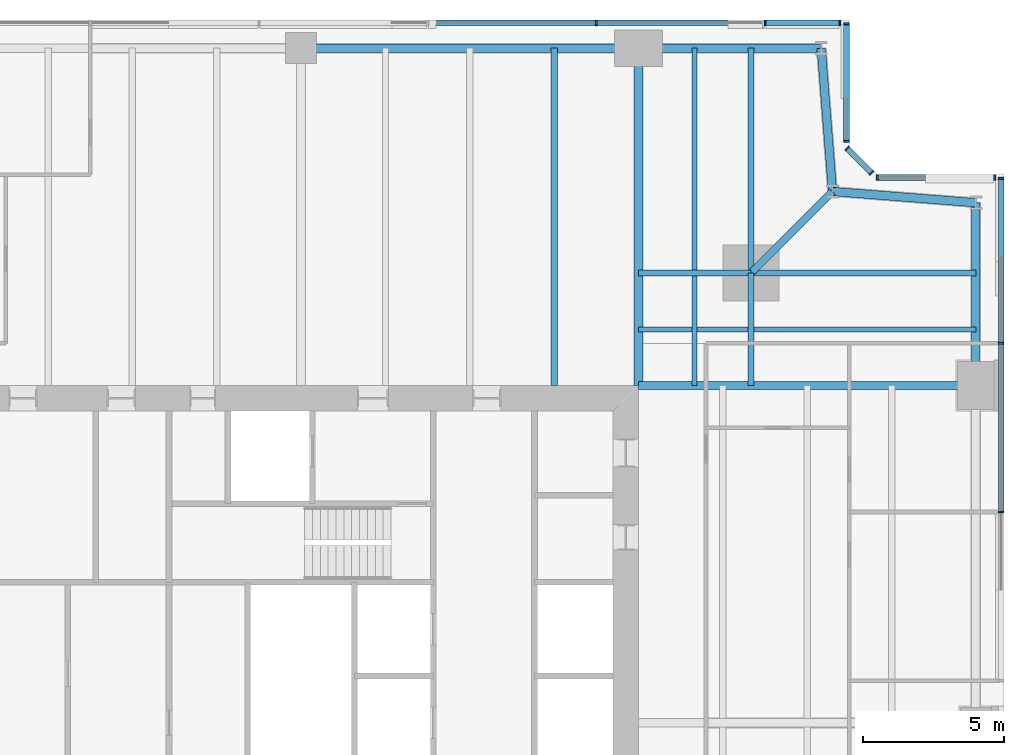
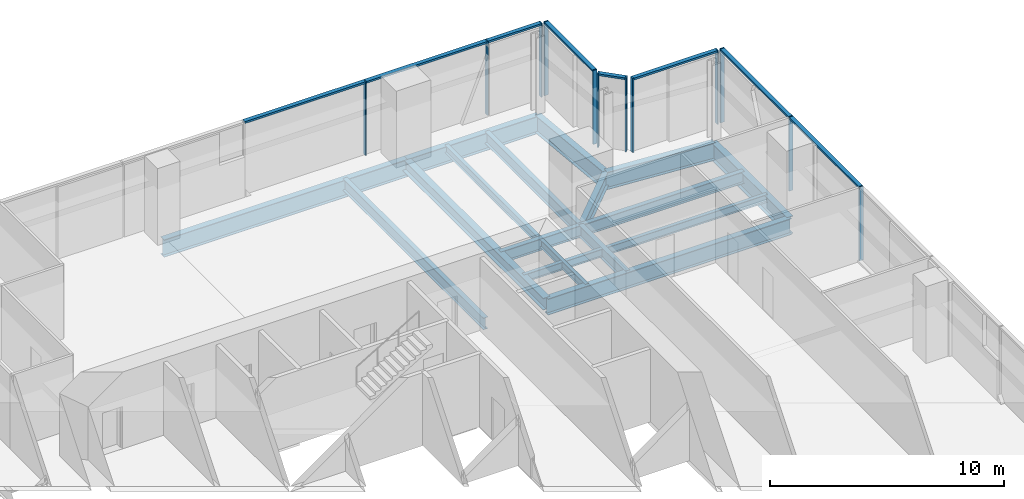
# One storey, part 7 of 16: 20 members, 18 beams, 5 elements without a shape of their own.
"""IFC4 building model written with IfcOpenShell, lengths in metres."""

from ifc_helpers import new_model, si_unit, direction, frame, origin, origin_2d, place, context, subcontext, project, spatial, rectangle, i_section, extrude, material, material_profile, profile_set, type_object, element, aggregate, save


model = new_model("IFC4")

# Units and contexts
model_context = context("Model", 3, precision=1e-05, world=origin(), true_north=direction((0.0, 1.0)))
body_context = subcontext(model_context, "Body", "Model", "MODEL_VIEW")
ifc_project = project(units=[si_unit("LENGTHUNIT", "METRE"), si_unit("AREAUNIT", "SQUARE_METRE"), si_unit("VOLUMEUNIT", "CUBIC_METRE"), si_unit("PLANEANGLEUNIT", "RADIAN"), si_unit("MASSUNIT", "GRAM", prefix="KILO")], contexts=[model_context])

# Site, building, storey
site_placement = place(None, origin())
site = spatial("IfcSite", under=ifc_project, at=site_placement, CompositionType="ELEMENT")
building_placement = place(site_placement, origin())
building = spatial("IfcBuilding", under=site, at=building_placement, Name="Fenwick Lantern Interchange", CompositionType="ELEMENT")
storey_placement = place(building_placement, frame((0.0, 0.0, 213.800048828125)))
storey = spatial("IfcBuildingStorey", under=building, at=storey_placement, Name="L50", CompositionType="ELEMENT", Elevation=213.800048828125)

# Beams
ifc_material_1 = material(Name="Steel ASTM A992 Grade 50", Category="steel")
ifc_material_profile_1 = material_profile(ifc_material_1, i_section(OverallWidth=0.3046875, OverallDepth=0.911865234375, WebThickness=0.015869140625, FlangeThickness=0.02392578125, at=origin_2d()), Name="W36X150")
ifc_profile_set_1 = profile_set([ifc_material_profile_1], Name="Steel ASTM A992 Grade 50")
beam_type_1 = type_object("IfcBeamType", Name="EDGE BEAM W36X150", PredefinedType="SPANDREL", material=ifc_profile_set_1)
beam_1_placement = place(storey_placement, frame((49.0, 37.0, -0.60595703125), z_axis=(0.0, 1.0, 0.0), x_axis=(-1.0, 0.0, 0.0)))
element("IfcBeam", 1, at=beam_1_placement, inside=storey, type_object=beam_type_1, Name="L50/FR/E/EB4", PredefinedType="SPANDREL", context=body_context, shape_type="SweptSolid", body=[
    extrude(i_section(OverallWidth=0.3046875, OverallDepth=0.911865234375, WebThickness=0.015869140625, FlangeThickness=0.02392578125, at=origin_2d()), origin(), (0.0, 0.0, 1.0), 6.5),
])
for number, where, z_axis, x_axis, name in (
    (2, (49.0, 43.5, -0.60595703125), (-0.99693998236, 0.078170784639, 0.0), (-0.078170784639, -0.99693998236, 0.0), "L50/FR/E/EBR1"),
    (3, (43.89990234375, 43.89990234375, -0.60595703125), (-0.078170784639, 0.99693998236, 0.0), (-0.99693998236, -0.078170784639, 0.0), "L50/FR/E/EBR2"),
):
    element("IfcBeam", number, at=place(storey_placement, frame(where, z_axis=z_axis, x_axis=x_axis)), inside=storey, type_object=beam_type_1, Name=name, PredefinedType="SPANDREL", context=body_context, shape_type="SweptSolid", body=[
        extrude(i_section(OverallWidth=0.3046875, OverallDepth=0.911865234375, WebThickness=0.015869140625, FlangeThickness=0.02392578125, at=origin_2d()), origin(), (0.0, 0.0, 1.0), 5.11572265625),
    ])
beam_2_placement = place(storey_placement, frame((43.5, 49.0, -0.60595703125), z_axis=(-1.0, 0.0, 0.0), x_axis=(0.0, -1.0, 0.0)))
element("IfcBeam", 4, at=beam_2_placement, inside=storey, type_object=beam_type_1, Name="L50/FR/N/EB1", PredefinedType="SPANDREL", context=body_context, shape_type="SweptSolid", body=[
    extrude(i_section(OverallWidth=0.3046875, OverallDepth=0.911865234375, WebThickness=0.015869140625, FlangeThickness=0.02392578125, at=origin_2d()), origin(), (0.0, 0.0, 1.0), 6.5),
])
beam_3_placement = place(storey_placement, frame((37.0, 49.0, -0.60595703125), z_axis=(-1.0, 0.0, 0.0), x_axis=(0.0, -1.0, 0.0)))
element("IfcBeam", 5, at=beam_3_placement, inside=storey, type_object=beam_type_1, Name="L50/FR/N/EB2", PredefinedType="SPANDREL", context=body_context, shape_type="SweptSolid", body=[
    extrude(i_section(OverallWidth=0.3046875, OverallDepth=0.911865234375, WebThickness=0.015869140625, FlangeThickness=0.02392578125, at=origin_2d()), origin(), (0.0, 0.0, 1.0), 12.0),
])
ifc_material_profile_2 = material_profile(ifc_material_1, i_section(OverallWidth=0.22900390625, OverallDepth=0.612060546875, WebThickness=0.011962890625, FlangeThickness=0.01953125, at=origin_2d()), Name="W24X84")
ifc_profile_set_2 = profile_set([ifc_material_profile_2], Name="Steel ASTM A992 Grade 50")
beam_type_2 = type_object("IfcBeamType", Name="FLOOR BEAM W24X84", PredefinedType="BEAM", material=ifc_profile_set_2)
beam_4_placement = place(storey_placement, frame((34.0, 49.0, -0.4560546875), z_axis=(0.0, -1.0, 0.0), x_axis=(1.0, 0.0, 0.0)))
element("IfcBeam", 6, at=beam_4_placement, inside=storey, type_object=beam_type_2, Name="L50/FR/N/R02", PredefinedType="BEAM", context=body_context, shape_type="SweptSolid", body=[
    extrude(i_section(OverallWidth=0.22900390625, OverallDepth=0.612060546875, WebThickness=0.011962890625, FlangeThickness=0.01953125, at=origin_2d()), origin(), (0.0, 0.0, 1.0), 12.0),
])
ifc_material_profile_3 = material_profile(ifc_material_1, i_section(OverallWidth=0.177734375, OverallDepth=0.406494140625, WebThickness=0.0078125, FlangeThickness=0.012939453125, at=origin_2d()), Name="W16X40")
ifc_profile_set_3 = profile_set([ifc_material_profile_3], Name="Steel ASTM A992 Grade 50")
beam_type_3 = type_object("IfcBeamType", Name="INFILL BEAM W16X40", PredefinedType="JOIST", material=ifc_profile_set_3)
beam_5_placement = place(storey_placement, frame((39.0, 49.0, -0.353271484375), z_axis=(0.0, -1.0, 0.0), x_axis=(1.0, 0.0, 0.0)))
element("IfcBeam", 7, at=beam_5_placement, inside=storey, type_object=beam_type_3, Name="L50/FR/N/J1", PredefinedType="JOIST", context=body_context, shape_type="SweptSolid", body=[
    extrude(i_section(OverallWidth=0.177734375, OverallDepth=0.406494140625, WebThickness=0.0078125, FlangeThickness=0.012939453125, at=origin_2d()), origin(), (0.0, 0.0, 1.0), 7.885498046875),
])
beam_6_placement = place(storey_placement, frame((39.0, 40.885498046875, -0.353271484375), z_axis=(0.0, -1.0, 0.0), x_axis=(1.0, 0.0, 0.0)))
element("IfcBeam", 8, at=beam_6_placement, inside=storey, type_object=beam_type_3, Name="L50/FR/N/J2", PredefinedType="JOIST", context=body_context, shape_type="SweptSolid", body=[
    extrude(i_section(OverallWidth=0.177734375, OverallDepth=0.406494140625, WebThickness=0.0078125, FlangeThickness=0.012939453125, at=origin_2d()), origin(), (0.0, 0.0, 1.0), 3.885498046875),
])
beam_7_placement = place(storey_placement, frame((49.0, 39.0, -0.353271484375), z_axis=(-1.0, 0.0, 0.0), x_axis=(0.0, -1.0, 0.0)))
element("IfcBeam", 9, at=beam_7_placement, inside=storey, type_object=beam_type_3, Name="L50/FR/N/J3", PredefinedType="JOIST", context=body_context, shape_type="SweptSolid", body=[
    extrude(i_section(OverallWidth=0.177734375, OverallDepth=0.406494140625, WebThickness=0.0078125, FlangeThickness=0.012939453125, at=origin_2d()), origin(), (0.0, 0.0, 1.0), 7.885498046875),
])
beam_8_placement = place(storey_placement, frame((40.885498046875, 39.0, -0.353271484375), z_axis=(-1.0, 0.0, 0.0), x_axis=(0.0, -1.0, 0.0)))
element("IfcBeam", 10, at=beam_8_placement, inside=storey, type_object=beam_type_3, Name="L50/FR/N/J4", PredefinedType="JOIST", context=body_context, shape_type="SweptSolid", body=[
    extrude(i_section(OverallWidth=0.177734375, OverallDepth=0.406494140625, WebThickness=0.0078125, FlangeThickness=0.012939453125, at=origin_2d()), origin(), (0.0, 0.0, 1.0), 1.796630859375),
])
beam_9_placement = place(storey_placement, frame((38.9111328125, 39.0, -0.353271484375), z_axis=(-1.0, 0.0, 0.0), x_axis=(0.0, -1.0, 0.0)))
element("IfcBeam", 11, at=beam_9_placement, inside=storey, type_object=beam_type_3, Name="L50/FR/N/J5", PredefinedType="JOIST", context=body_context, shape_type="SweptSolid", body=[
    extrude(i_section(OverallWidth=0.177734375, OverallDepth=0.406494140625, WebThickness=0.0078125, FlangeThickness=0.012939453125, at=origin_2d()), origin(), (0.0, 0.0, 1.0), 1.9111328125),
])
ifc_material_profile_4 = material_profile(ifc_material_1, i_section(OverallWidth=0.22900390625, OverallDepth=0.612060546875, WebThickness=0.011962890625, FlangeThickness=0.01953125, at=origin_2d()), Name="W24X84")
ifc_profile_set_4 = profile_set([ifc_material_profile_4], Name="Steel ASTM A992 Grade 50")
beam_type_4 = type_object("IfcBeamType", Name="MEGA COLUMN BEAM W24X84", PredefinedType="BEAM", material=ifc_profile_set_4)
for number, where, z_axis, x_axis, name in (
    (12, (41.0, 41.0, -0.4560546875), (0.0, 1.0, 0.0), (-1.0, 0.0, 0.0), "L50/FR/N/MB1"),
    (13, (41.0, 41.0, -0.4560546875), (1.0, 0.0, 0.0), (0.0, 1.0, 0.0), "L50/FR/N/MB2"),
):
    element("IfcBeam", number, at=place(storey_placement, frame(where, z_axis=z_axis, x_axis=x_axis)), inside=storey, type_object=beam_type_4, Name=name, PredefinedType="BEAM", context=body_context, shape_type="SweptSolid", body=[
        extrude(i_section(OverallWidth=0.22900390625, OverallDepth=0.612060546875, WebThickness=0.011962890625, FlangeThickness=0.01953125, at=origin_2d()), origin(), (0.0, 0.0, 1.0), 8.0),
    ])
for number, where, z_axis, x_axis, name in (
    (14, (41.0, 41.0, -0.4560546875), (-1.0, 0.0, 0.0), (0.0, -1.0, 0.0), "L50/FR/N/MB3"),
    (15, (41.0, 41.0, -0.4560546875), (0.0, -1.0, 0.0), (1.0, 0.0, 0.0), "L50/FR/N/MB4"),
):
    element("IfcBeam", number, at=place(storey_placement, frame(where, z_axis=z_axis, x_axis=x_axis)), inside=storey, type_object=beam_type_4, Name=name, PredefinedType="BEAM", context=body_context, shape_type="SweptSolid", body=[
        extrude(i_section(OverallWidth=0.22900390625, OverallDepth=0.612060546875, WebThickness=0.011962890625, FlangeThickness=0.01953125, at=origin_2d()), origin(), (0.0, 0.0, 1.0), 4.0),
    ])
ifc_material_profile_5 = material_profile(ifc_material_1, i_section(OverallWidth=0.32763671875, OverallDepth=0.622314453125, WebThickness=0.015380859375, FlangeThickness=0.0244140625, at=origin_2d()), Name="W24X131")
ifc_profile_set_5 = profile_set([ifc_material_profile_5], Name="Steel ASTM A992 Grade 50")
beam_type_5 = type_object("IfcBeamType", Name="MOMENT-CONNECTED GIRDER W24X131", PredefinedType="BEAM", material=ifc_profile_set_5)
beam_10_placement = place(storey_placement, frame((37.0, 49.0, -0.461181640625), z_axis=(0.0, -1.0, 0.0), x_axis=(1.0, 0.0, 0.0)))
element("IfcBeam", 16, at=beam_10_placement, inside=storey, type_object=beam_type_5, Name="L50/FR/N/R01", PredefinedType="BEAM", context=body_context, shape_type="SweptSolid", body=[
    extrude(i_section(OverallWidth=0.32763671875, OverallDepth=0.622314453125, WebThickness=0.015380859375, FlangeThickness=0.0244140625, at=origin_2d()), origin(), (0.0, 0.0, 1.0), 12.0),
])
ifc_material_profile_6 = material_profile(ifc_material_1, i_section(OverallWidth=0.2919921875, OverallDepth=0.845703125, WebThickness=0.015380859375, FlangeThickness=0.0244140625, at=origin_2d()), Name="W33X141")
ifc_profile_set_6 = profile_set([ifc_material_profile_6], Name="Steel ASTM A992 Grade 50")
beam_type_6 = type_object("IfcBeamType", Name="MOMENT-CONNECTED GIRDER W33X141", PredefinedType="BEAM", material=ifc_profile_set_6)
beam_11_placement = place(storey_placement, frame((49.0, 37.0, -0.572998046875), z_axis=(-1.0, 0.0, 0.0), x_axis=(0.0, -1.0, 0.0)))
element("IfcBeam", 17, at=beam_11_placement, inside=storey, type_object=beam_type_6, Name="L50/FR/E/R03", PredefinedType="BEAM", context=body_context, shape_type="SweptSolid", body=[
    extrude(i_section(OverallWidth=0.2919921875, OverallDepth=0.845703125, WebThickness=0.015380859375, FlangeThickness=0.0244140625, at=origin_2d()), origin(), (0.0, 0.0, 1.0), 12.0),
])
ifc_material_profile_7 = material_profile(ifc_material_1, i_section(OverallWidth=0.2666015625, OverallDepth=0.7568359375, WebThickness=0.013916015625, FlangeThickness=0.019287109375, at=origin_2d()), Name="W30X108")
ifc_profile_set_7 = profile_set([ifc_material_profile_7], Name="Steel ASTM A992 Grade 50")
beam_type_7 = type_object("IfcBeamType", Name="NOTCH BEAM W30X108", PredefinedType="BEAM", material=ifc_profile_set_7)
beam_12_placement = place(storey_placement, frame((41.0, 41.0, -0.528564453125), z_axis=(0.707106781187, 0.707106781187, 0.0), x_axis=(-0.707106781187, 0.707106781187, 0.0)))
element("IfcBeam", 18, at=beam_12_placement, inside=storey, type_object=beam_type_7, Name="L50/FR/N/TG", PredefinedType="BEAM", context=body_context, shape_type="SweptSolid", body=[
    extrude(i_section(OverallWidth=0.2666015625, OverallDepth=0.7568359375, WebThickness=0.013916015625, FlangeThickness=0.019287109375, at=origin_2d()), origin(), (0.0, 0.0, 1.0), 4.10107421875),
])

# Curtain wall, members
ifc_material_2 = material(Name="Aluminium curtain wall frame", Category="aluminium")
curtain_wall_type = type_object("IfcCurtainWallType", Name="OFFICE CURTAIN WALL", PredefinedType="USERDEFINED", material=ifc_material_2)
curtain_wall_1_placement = place(storey_placement, origin())
curtain_wall_1 = element("IfcCurtainWall", 19, at=curtain_wall_1_placement, inside=storey, type_object=curtain_wall_type, Name="Office curtain wall 05", ObjectType="OFFICE CURTAIN WALL", PredefinedType="USERDEFINED")
ifc_material_3 = material(Name="Aluminium extrusion", Category="aluminium")
ifc_material_profile_8 = material_profile(ifc_material_3, rectangle(XDim=0.199951171875, YDim=0.06494140625, at=origin_2d()), Name="OFFICE CURTAIN WALL MULLION 65 X 200")
ifc_profile_set_8 = profile_set([ifc_material_profile_8], Name="Aluminium extrusion")
member_type_1 = type_object("IfcMemberType", Name="OFFICE CURTAIN WALL MULLION 65 X 200", PredefinedType="MULLION", material=ifc_profile_set_8)
member_1_placement = place(storey_placement, frame((49.89990234375, 32.5, 0.0), z_axis=(0.0, 0.0, 1.0), x_axis=(-1.0, 0.0, 0.0)))
member_1 = element("IfcMember", 20, at=member_1_placement, type_object=member_type_1, Name="L50/CW/05/M05", PredefinedType="MULLION", context=body_context, shape_type="SweptSolid", body=[
    extrude(rectangle(XDim=0.199951171875, YDim=0.06494140625, at=origin_2d()), origin(), (0.0, 0.0, 1.0), 3.849853515625),
])
member_2_placement = place(storey_placement, frame((49.89990234375, 38.5, 0.0), z_axis=(0.0, 0.0, 1.0), x_axis=(-1.0, 0.0, 0.0)))
member_2 = element("IfcMember", 21, at=member_2_placement, type_object=member_type_1, Name="L50/CW/05/M06", PredefinedType="MULLION", context=body_context, shape_type="SweptSolid", body=[
    extrude(rectangle(XDim=0.199951171875, YDim=0.06494140625, at=origin_2d()), origin(), (0.0, 0.0, 1.0), 3.849853515625),
])
member_3_placement = place(storey_placement, frame((49.89990234375, 44.367431640625, 0.0), z_axis=(0.0, 0.0, 1.0), x_axis=(-1.0, 0.0, 0.0)))
member_3 = element("IfcMember", 22, at=member_3_placement, type_object=member_type_1, Name="L50/CW/05/M07", PredefinedType="MULLION", context=body_context, shape_type="SweptSolid", body=[
    extrude(rectangle(XDim=0.199951171875, YDim=0.06494140625, at=origin_2d()), origin(), (0.0, 0.0, 1.0), 3.849853515625),
])

curtain_wall_2_placement = place(storey_placement, origin())
curtain_wall_2 = element("IfcCurtainWall", 23, at=curtain_wall_2_placement, inside=storey, type_object=curtain_wall_type, Name="Office curtain wall 06", ObjectType="OFFICE CURTAIN WALL", PredefinedType="USERDEFINED")
member_4_placement = place(storey_placement, frame((49.66748046875, 44.39990234375, 0.0), z_axis=(0.0, 0.0, 1.0), x_axis=(0.0, -1.0, 0.0)))
member_4 = element("IfcMember", 24, at=member_4_placement, type_object=member_type_1, Name="L50/CW/06/M00", PredefinedType="MULLION", context=body_context, shape_type="SweptSolid", body=[
    extrude(rectangle(XDim=0.199951171875, YDim=0.06494140625, at=origin_2d()), origin(), (0.0, 0.0, 1.0), 3.849853515625),
])
member_5_placement = place(storey_placement, frame((45.490966796875, 44.39990234375, 0.0), z_axis=(0.0, 0.0, 1.0), x_axis=(0.0, -1.0, 0.0)))
member_5 = element("IfcMember", 25, at=member_5_placement, type_object=member_type_1, Name="L50/CW/06/M01", PredefinedType="MULLION", context=body_context, shape_type="SweptSolid", body=[
    extrude(rectangle(XDim=0.199951171875, YDim=0.06494140625, at=origin_2d()), origin(), (0.0, 0.0, 1.0), 3.849853515625),
])

curtain_wall_3_placement = place(storey_placement, origin())
curtain_wall_3 = element("IfcCurtainWall", 26, at=curtain_wall_3_placement, inside=storey, type_object=curtain_wall_type, Name="Office curtain wall 07", ObjectType="OFFICE CURTAIN WALL", PredefinedType="USERDEFINED")
member_6_placement = place(storey_placement, frame((45.294189453125, 44.564453125, 0.0), z_axis=(0.0, 0.0, 1.0), x_axis=(-0.707106781187, -0.707106781187, 0.0)))
member_6 = element("IfcMember", 27, at=member_6_placement, type_object=member_type_1, Name="L50/CW/07/M00", PredefinedType="MULLION", context=body_context, shape_type="SweptSolid", body=[
    extrude(rectangle(XDim=0.199951171875, YDim=0.06494140625, at=origin_2d()), origin(), (0.0, 0.0, 1.0), 3.849853515625),
])
member_7_placement = place(storey_placement, frame((44.423095703125, 45.435546875, 0.0), z_axis=(0.0, 0.0, 1.0), x_axis=(-0.707106781187, -0.707106781187, 0.0)))
member_7 = element("IfcMember", 28, at=member_7_placement, type_object=member_type_1, Name="L50/CW/07/M01", PredefinedType="MULLION", context=body_context, shape_type="SweptSolid", body=[
    extrude(rectangle(XDim=0.199951171875, YDim=0.06494140625, at=origin_2d()), origin(), (0.0, 0.0, 1.0), 3.849853515625),
])

curtain_wall_4_placement = place(storey_placement, origin())
curtain_wall_4 = element("IfcCurtainWall", 29, at=curtain_wall_4_placement, inside=storey, type_object=curtain_wall_type, Name="Office curtain wall 08", ObjectType="OFFICE CURTAIN WALL", PredefinedType="USERDEFINED")
member_8_placement = place(storey_placement, frame((44.39990234375, 45.691162109375, 0.0), z_axis=(0.0, 0.0, 1.0), x_axis=(-1.0, 0.0, 0.0)))
member_8 = element("IfcMember", 30, at=member_8_placement, type_object=member_type_1, Name="L50/CW/08/M00", PredefinedType="MULLION", context=body_context, shape_type="SweptSolid", body=[
    extrude(rectangle(XDim=0.199951171875, YDim=0.06494140625, at=origin_2d()), origin(), (0.0, 0.0, 1.0), 3.849853515625),
])
member_9_placement = place(storey_placement, frame((44.39990234375, 49.867431640625, 0.0), z_axis=(0.0, 0.0, 1.0), x_axis=(-1.0, 0.0, 0.0)))
member_9 = element("IfcMember", 31, at=member_9_placement, type_object=member_type_1, Name="L50/CW/08/M01", PredefinedType="MULLION", context=body_context, shape_type="SweptSolid", body=[
    extrude(rectangle(XDim=0.199951171875, YDim=0.06494140625, at=origin_2d()), origin(), (0.0, 0.0, 1.0), 3.849853515625),
])

curtain_wall_5_placement = place(storey_placement, origin())
curtain_wall_5 = element("IfcCurtainWall", 32, at=curtain_wall_5_placement, inside=storey, type_object=curtain_wall_type, Name="Office curtain wall 09", ObjectType="OFFICE CURTAIN WALL", PredefinedType="USERDEFINED")
member_10_placement = place(storey_placement, frame((44.16748046875, 49.89990234375, 0.0), z_axis=(0.0, 0.0, 1.0), x_axis=(0.0, -1.0, 0.0)))
member_10 = element("IfcMember", 33, at=member_10_placement, type_object=member_type_1, Name="L50/CW/09/M00", PredefinedType="MULLION", context=body_context, shape_type="SweptSolid", body=[
    extrude(rectangle(XDim=0.199951171875, YDim=0.06494140625, at=origin_2d()), origin(), (0.0, 0.0, 1.0), 3.849853515625),
])
member_11_placement = place(storey_placement, frame((41.5, 49.89990234375, 0.0), z_axis=(0.0, 0.0, 1.0), x_axis=(0.0, -1.0, 0.0)))
member_11 = element("IfcMember", 34, at=member_11_placement, type_object=member_type_1, Name="L50/CW/09/M01", PredefinedType="MULLION", context=body_context, shape_type="SweptSolid", body=[
    extrude(rectangle(XDim=0.199951171875, YDim=0.06494140625, at=origin_2d()), origin(), (0.0, 0.0, 1.0), 3.849853515625),
])
member_12_placement = place(storey_placement, frame((35.5, 49.89990234375, 0.0), z_axis=(0.0, 0.0, 1.0), x_axis=(0.0, -1.0, 0.0)))
member_12 = element("IfcMember", 35, at=member_12_placement, type_object=member_type_1, Name="L50/CW/09/M02", PredefinedType="MULLION", context=body_context, shape_type="SweptSolid", body=[
    extrude(rectangle(XDim=0.199951171875, YDim=0.06494140625, at=origin_2d()), origin(), (0.0, 0.0, 1.0), 3.849853515625),
])

# Member
ifc_material_profile_9 = material_profile(ifc_material_3, rectangle(XDim=0.199951171875, YDim=0.10009765625, at=origin_2d()), Name="OFFICE CURTAIN WALL TRANSOM 100 X 200")
ifc_profile_set_9 = profile_set([ifc_material_profile_9], Name="Aluminium extrusion")
member_type_2 = type_object("IfcMemberType", Name="OFFICE CURTAIN WALL TRANSOM 100 X 200", PredefinedType="MULLION", material=ifc_profile_set_9)
member_13_placement = place(storey_placement, frame((49.89990234375, 32.532470703125, 3.800048828125), z_axis=(0.0, 1.0, 0.0), x_axis=(-1.0, 0.0, 0.0)))
member_13 = element("IfcMember", 36, at=member_13_placement, type_object=member_type_2, Name="L50/CW/05/T05", PredefinedType="MULLION", context=body_context, shape_type="SweptSolid", body=[
    extrude(rectangle(XDim=0.199951171875, YDim=0.10009765625, at=origin_2d()), origin(), (0.0, 0.0, 1.0), 5.93505859375),
])

member_14_placement = place(storey_placement, frame((49.89990234375, 38.532470703125, 3.800048828125), z_axis=(0.0, 1.0, 0.0), x_axis=(-1.0, 0.0, 0.0)))
member_14 = element("IfcMember", 37, at=member_14_placement, type_object=member_type_2, Name="L50/CW/05/T06", PredefinedType="MULLION", context=body_context, shape_type="SweptSolid", body=[
    extrude(rectangle(XDim=0.199951171875, YDim=0.10009765625, at=origin_2d()), origin(), (0.0, 0.0, 1.0), 5.802490234375),
])

aggregate(curtain_wall_1, [member_1, member_2, member_3, member_13, member_14])

member_15_placement = place(storey_placement, frame((49.635009765625, 44.39990234375, 3.800048828125), z_axis=(-1.0, 0.0, 0.0), x_axis=(0.0, -1.0, 0.0)))
member_15 = element("IfcMember", 38, at=member_15_placement, type_object=member_type_2, Name="L50/CW/06/T00", PredefinedType="MULLION", context=body_context, shape_type="SweptSolid", body=[
    extrude(rectangle(XDim=0.199951171875, YDim=0.10009765625, at=origin_2d()), origin(), (0.0, 0.0, 1.0), 4.111328125),
])

aggregate(curtain_wall_2, [member_4, member_5, member_15])

member_16_placement = place(storey_placement, frame((45.271240234375, 44.58740234375, 3.800048828125), z_axis=(-0.707106781187, 0.707106781187, 0.0), x_axis=(-0.707106781187, -0.707106781187, 0.0)))
member_16 = element("IfcMember", 39, at=member_16_placement, type_object=member_type_2, Name="L50/CW/07/T00", PredefinedType="MULLION", context=body_context, shape_type="SweptSolid", body=[
    extrude(rectangle(XDim=0.199951171875, YDim=0.10009765625, at=origin_2d()), origin(), (0.0, 0.0, 1.0), 1.1669921875),
])

aggregate(curtain_wall_3, [member_6, member_7, member_16])

member_17_placement = place(storey_placement, frame((44.39990234375, 45.7236328125, 3.800048828125), z_axis=(0.0, 1.0, 0.0), x_axis=(-1.0, 0.0, 0.0)))
member_17 = element("IfcMember", 40, at=member_17_placement, type_object=member_type_2, Name="L50/CW/08/T00", PredefinedType="MULLION", context=body_context, shape_type="SweptSolid", body=[
    extrude(rectangle(XDim=0.199951171875, YDim=0.10009765625, at=origin_2d()), origin(), (0.0, 0.0, 1.0), 4.111328125),
])

aggregate(curtain_wall_4, [member_8, member_9, member_17])

member_18_placement = place(storey_placement, frame((44.135009765625, 49.89990234375, 3.800048828125), z_axis=(-1.0, 0.0, 0.0), x_axis=(0.0, -1.0, 0.0)))
member_18 = element("IfcMember", 41, at=member_18_placement, type_object=member_type_2, Name="L50/CW/09/T00", PredefinedType="MULLION", context=body_context, shape_type="SweptSolid", body=[
    extrude(rectangle(XDim=0.199951171875, YDim=0.10009765625, at=origin_2d()), origin(), (0.0, 0.0, 1.0), 2.6025390625),
])

member_19_placement = place(storey_placement, frame((41.467529296875, 49.89990234375, 3.800048828125), z_axis=(-1.0, 0.0, 0.0), x_axis=(0.0, -1.0, 0.0)))
member_19 = element("IfcMember", 42, at=member_19_placement, type_object=member_type_2, Name="L50/CW/09/T01", PredefinedType="MULLION", context=body_context, shape_type="SweptSolid", body=[
    extrude(rectangle(XDim=0.199951171875, YDim=0.10009765625, at=origin_2d()), origin(), (0.0, 0.0, 1.0), 5.93505859375),
])

member_20_placement = place(storey_placement, frame((35.467529296875, 49.89990234375, 3.800048828125), z_axis=(-1.0, 0.0, 0.0), x_axis=(0.0, -1.0, 0.0)))
member_20 = element("IfcMember", 43, at=member_20_placement, type_object=member_type_2, Name="L50/CW/09/T02", PredefinedType="MULLION", context=body_context, shape_type="SweptSolid", body=[
    extrude(rectangle(XDim=0.199951171875, YDim=0.10009765625, at=origin_2d()), origin(), (0.0, 0.0, 1.0), 5.93505859375),
])

aggregate(curtain_wall_5, [member_10, member_11, member_12, member_18, member_19, member_20])

save(model, "model.ifc")
